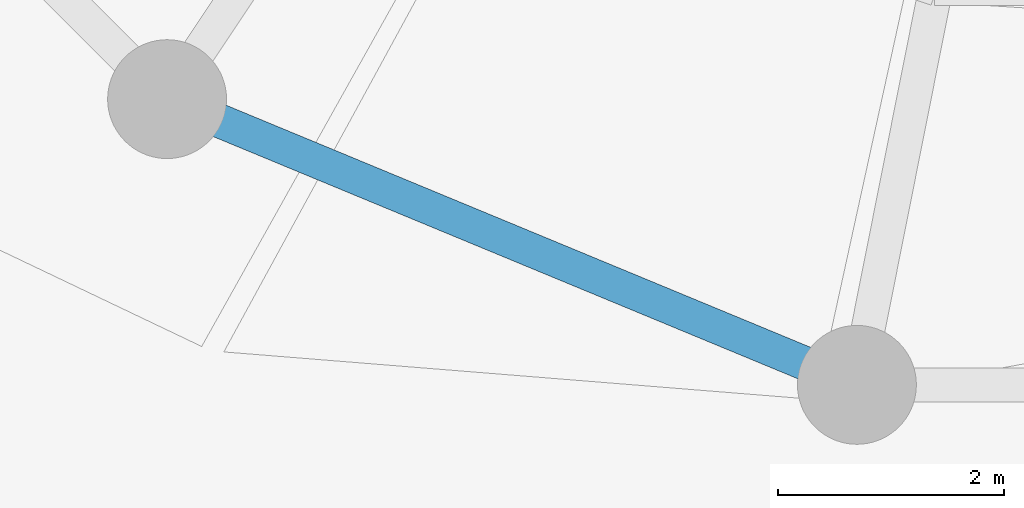
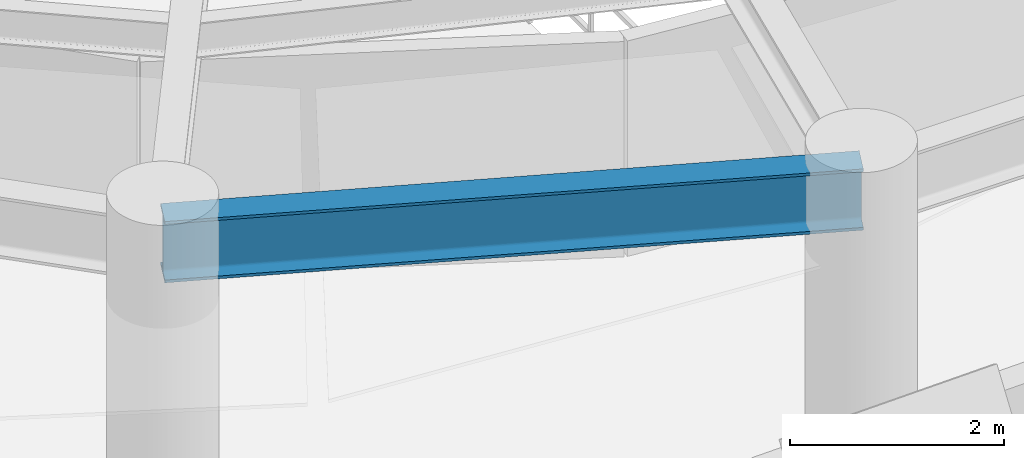
# One storey, part 3 of 12: 1 beam.
"""IFC4 building model written with IfcOpenShell, lengths in metres."""

from ifc_helpers import new_model, si_unit, direction, frame, origin, origin_2d, place, context, subcontext, project, spatial, i_section, extrude, material, material_profile, profile_set, type_object, element, save


model = new_model("IFC4")

# Units and contexts
model_context = context("Model", 3, precision=1e-05, world=origin(), true_north=direction((0.0, 1.0)))
body_context = subcontext(model_context, "Body", "Model", "MODEL_VIEW")
ifc_project = project(units=[si_unit("LENGTHUNIT", "METRE"), si_unit("AREAUNIT", "SQUARE_METRE"), si_unit("VOLUMEUNIT", "CUBIC_METRE"), si_unit("PLANEANGLEUNIT", "RADIAN"), si_unit("MASSUNIT", "GRAM", prefix="KILO"), si_unit("THERMODYNAMICTEMPERATUREUNIT", "KELVIN"), si_unit("POWERUNIT", "WATT")], contexts=[model_context])

# Site, building, storey
site_placement = place(None, origin())
site = spatial("IfcSite", under=ifc_project, at=site_placement, CompositionType="ELEMENT")
building_placement = place(site_placement, origin())
building = spatial("IfcBuilding", under=site, at=building_placement, Name="Ocrelia Relay Tower", CompositionType="ELEMENT")
storey_placement = place(building_placement, frame((0.0, 0.0, 177.199951171875)))
storey = spatial("IfcBuildingStorey", under=building, at=storey_placement, Name="L42", CompositionType="ELEMENT", Elevation=177.199951171875)

# Beam
ifc_material = material(Name="Steel S355", Category="steel")
ifc_material_profile = material_profile(ifc_material, i_section(OverallWidth=0.300048828125, OverallDepth=0.699951171875, WebThickness=0.01708984375, FlangeThickness=0.031982421875, FilletRadius=0.027099609375, at=origin_2d()), Name="HEB 700")
ifc_profile_set = profile_set([ifc_material_profile], Name="Steel S355")
beam_type = type_object("IfcBeamType", Name="BM-HEB700", PredefinedType="BEAM", material=ifc_profile_set)
beam_placement = place(storey_placement, frame((24.61083984375, 11.9482421875, 3.030029296875), z_axis=(0.923877844151, -0.382687508402, 0.0), x_axis=(0.382687508402, 0.923877844151, 0.0)))
element("IfcBeam", 1, at=beam_placement, inside=storey, type_object=beam_type, Name="L42 Perimeter Spandrel Beam S11", PredefinedType="BEAM", context=body_context, shape_type="SweptSolid", body=[
    extrude(i_section(OverallWidth=0.300048828125, OverallDepth=0.699951171875, WebThickness=0.01708984375, FlangeThickness=0.031982421875, FilletRadius=0.027099609375, at=origin_2d()), origin(), (0.0, 0.0, 1.0), 6.593994140625),
])

save(model, "model.ifc")
